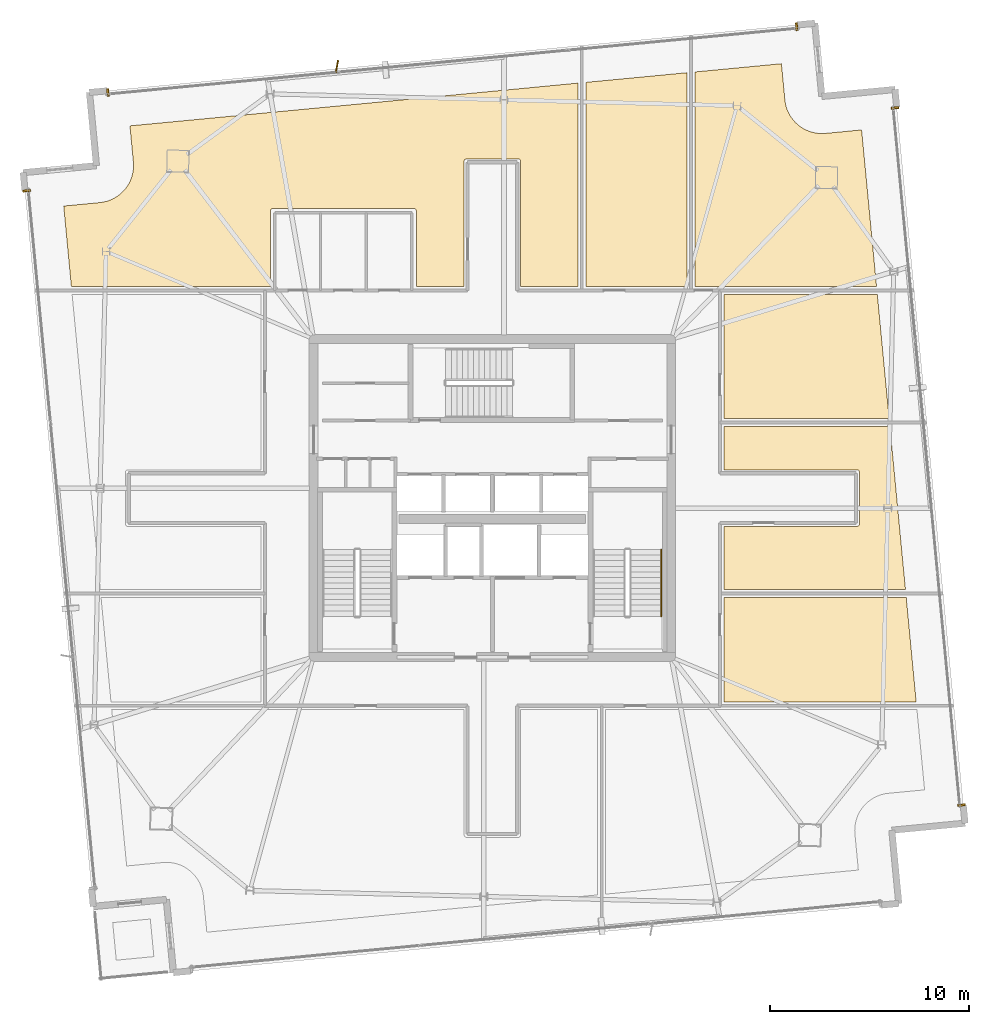
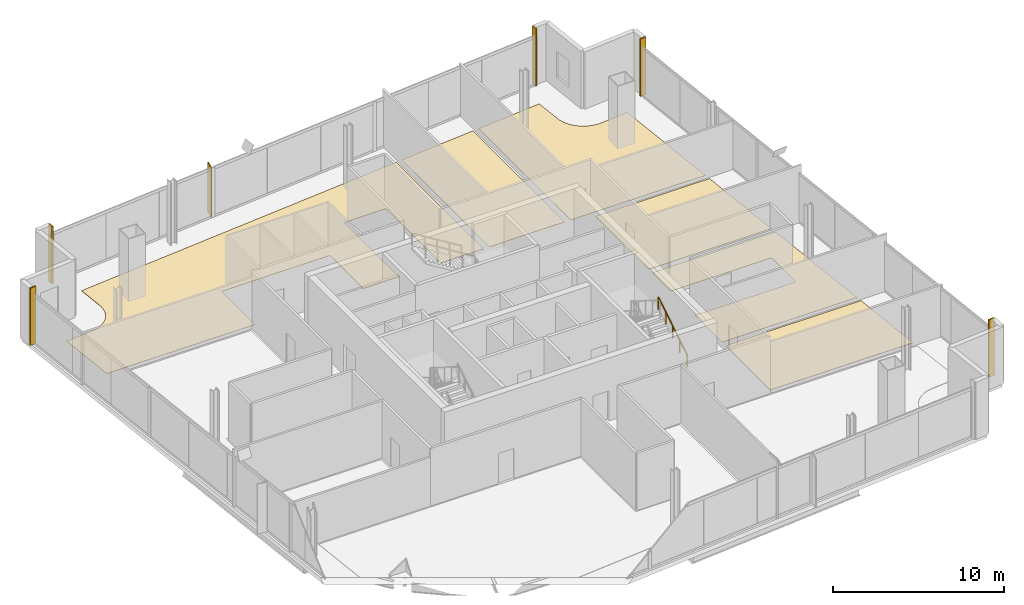
# One storey, part 24 of 24: 11 coverings, 1 railing, 1 shading device.
"""IFC4 building model written with IfcOpenShell, lengths in metres."""

from ifc_helpers import new_model, si_unit, direction, frame, origin, origin_2d, place, context, subcontext, project, spatial, polyline, rectangle, outline, extrude, source, transform, mapped, material, layer, layer_set, type_object, element, save


model = new_model("IFC4")

# Units and contexts
model_context = context("Model", 3, precision=1e-05, world=origin(), true_north=direction((0.0, 1.0)))
body_context = subcontext(model_context, "Body", "Model", "MODEL_VIEW")
ifc_project = project(units=[si_unit("LENGTHUNIT", "METRE"), si_unit("AREAUNIT", "SQUARE_METRE"), si_unit("VOLUMEUNIT", "CUBIC_METRE"), si_unit("PLANEANGLEUNIT", "RADIAN"), si_unit("MASSUNIT", "GRAM", prefix="KILO")], contexts=[model_context])

# Site, building, storey
site_placement = place(None, origin())
site = spatial("IfcSite", under=ifc_project, at=site_placement, CompositionType="ELEMENT")
building_placement = place(site_placement, origin())
building = spatial("IfcBuilding", under=site, at=building_placement, Name="Haldenkirk Collegiate Tower", CompositionType="ELEMENT")
storey_placement = place(building_placement, frame((0.0, 0.0, 347.699951171875)))
storey = spatial("IfcBuildingStorey", under=building, at=storey_placement, Name="L88", CompositionType="ELEMENT", Elevation=347.699951171875)

# Coverings
ifc_material_1 = material(Name="Polished collegiate terrazzo", Category="concrete")
ifc_layer_1 = layer(ifc_material_1, 0.02490234375)
ifc_layer_set_1 = layer_set([ifc_layer_1], Name="Polished collegiate terrazzo")
covering_type_1 = type_object("IfcCoveringType", Name="COV-FLOOR-TERRAZZO", PredefinedType="FLOORING", material=ifc_layer_set_1)
covering_1_placement = place(storey_placement, origin())
element("IfcCovering", 1, at=covering_1_placement, inside=storey, type_object=covering_type_1, Name="L88 academic room finish 04", PredefinedType="FLOORING", context=body_context, shape_type="SweptSolid", body=[
    extrude(outline(polyline([(45.800048828125, 47.40771484375), (45.800048828125, 36.64990234375), (40.699951171875, 36.64990234375), (40.699951171875, 46.9208984375), (45.800048828125, 47.40771484375)])), origin(), (0.0, 0.0, 1.0), 0.025146484375),
])
covering_2_placement = place(storey_placement, origin())
element("IfcCovering", 2, at=covering_2_placement, inside=storey, type_object=covering_type_1, Name="L88 academic room finish 08", PredefinedType="FLOORING", context=body_context, shape_type="SweptSolid", body=[
    extrude(outline(polyline([(57.324951171875, 15.75), (47.64990234375, 15.75), (47.64990234375, 21.0), (56.823974609375, 21.0), (57.324951171875, 15.75)])), origin(), (0.0, 0.0, 1.0), 0.025146484375),
])
covering_3_placement = place(storey_placement, origin())
element("IfcCovering", 3, at=covering_3_placement, inside=storey, type_object=covering_type_1, Name="L88 academic room finish 10", PredefinedType="FLOORING", context=body_context, shape_type="SweptSolid", body=[
    extrude(outline(polyline([(55.96533203125, 30.0), (47.64990234375, 30.0), (47.64990234375, 36.25), (55.369140625, 36.25), (55.96533203125, 30.0)])), origin(), (0.0, 0.0, 1.0), 0.025146484375),
])
ifc_material_2 = material(Name="Engineered collegiate oak acoustic flooring", Category="wood")
ifc_layer_2 = layer(ifc_material_2, 0.02197265625)
ifc_layer_set_2 = layer_set([ifc_layer_2], Name="Engineered collegiate oak acoustic flooring")
covering_type_2 = type_object("IfcCoveringType", Name="COV-FLOOR-TIMBER", PredefinedType="FLOORING", material=ifc_layer_set_2)
covering_4_placement = place(storey_placement, origin())
element("IfcCovering", 4, at=covering_4_placement, inside=storey, type_object=covering_type_2, Name="L88 academic room finish 03", PredefinedType="FLOORING", context=body_context, shape_type="SweptSolid", body=[
    extrude(outline(polyline([(16.248291015625, 40.87109375), (16.254150390625, 40.871826171875), (16.42431640625, 40.896484375), (16.435791015625, 40.89892578125), (16.602294921875, 40.940185546875), (16.61376953125, 40.943603515625), (16.775390625, 41.0009765625), (16.786376953125, 41.00537109375), (16.94189453125, 41.078125), (16.952392578125, 41.083740234375), (17.099853515625, 41.171630859375), (17.109619140625, 41.17822265625), (17.247802734375, 41.280029296875), (17.257080078125, 41.28759765625), (17.384521484375, 41.402587890625), (17.392822265625, 41.41064453125), (17.5087890625, 41.53759765625), (17.516357421875, 41.546630859375), (17.618896484375, 41.684326171875), (17.62548828125, 41.694091796875), (17.714111328125, 41.841064453125), (17.7197265625, 41.8515625), (17.793701171875, 42.006591796875), (17.798095703125, 42.017333984375), (17.856689453125, 42.178955078125), (17.860107421875, 42.190185546875), (17.90234375, 42.356689453125), (17.904541015625, 42.3681640625), (17.930419921875, 42.537841796875), (17.931396484375, 42.549560546875), (17.9404296875, 42.72119140625), (17.940673828125, 42.73291015625), (17.9326171875, 42.904541015625), (17.932373046875, 42.910400390625), (17.758544921875, 44.732177734375), (40.300048828125, 46.8828125), (40.300048828125, 36.64990234375), (37.419921875, 36.64990234375), (37.419921875, 42.949951171875), (37.41943359375, 42.9619140625), (37.417724609375, 42.973388671875), (37.414794921875, 42.98486328125), (37.410888671875, 42.995849609375), (37.40576171875, 43.006591796875), (37.39990234375, 43.0166015625), (37.392822265625, 43.026123046875), (37.385009765625, 43.034912109375), (37.376220703125, 43.042724609375), (37.36669921875, 43.0498046875), (37.356689453125, 43.055908203125), (37.345947265625, 43.060791015625), (37.334716796875, 43.064697265625), (37.323486328125, 43.067626953125), (37.311767578125, 43.0693359375), (37.300048828125, 43.070068359375), (34.699951171875, 43.070068359375), (34.688232421875, 43.0693359375), (34.676513671875, 43.067626953125), (34.665283203125, 43.064697265625), (34.654052734375, 43.060791015625), (34.643310546875, 43.055908203125), (34.63330078125, 43.0498046875), (34.623779296875, 43.042724609375), (34.614990234375, 43.034912109375), (34.607177734375, 43.026123046875), (34.60009765625, 43.0166015625), (34.59423828125, 43.006591796875), (34.589111328125, 42.995849609375), (34.585205078125, 42.98486328125), (34.582275390625, 42.973388671875), (34.58056640625, 42.9619140625), (34.580078125, 42.949951171875), (34.580078125, 36.64990234375), (32.169921875, 36.64990234375), (32.169921875, 40.449951171875), (32.16943359375, 40.4619140625), (32.167724609375, 40.473388671875), (32.164794921875, 40.48486328125), (32.160888671875, 40.495849609375), (32.15576171875, 40.506591796875), (32.14990234375, 40.5166015625), (32.142822265625, 40.526123046875), (32.135009765625, 40.534912109375), (32.126220703125, 40.542724609375), (32.11669921875, 40.5498046875), (32.106689453125, 40.555908203125), (32.095947265625, 40.560791015625), (32.084716796875, 40.564697265625), (32.073486328125, 40.567626953125), (32.061767578125, 40.5693359375), (32.050048828125, 40.570068359375), (24.949951171875, 40.570068359375), (24.938232421875, 40.5693359375), (24.926513671875, 40.567626953125), (24.915283203125, 40.564697265625), (24.904052734375, 40.560791015625), (24.893310546875, 40.555908203125), (24.88330078125, 40.5498046875), (24.873779296875, 40.542724609375), (24.864990234375, 40.534912109375), (24.857177734375, 40.526123046875), (24.85009765625, 40.5166015625), (24.84423828125, 40.506591796875), (24.839111328125, 40.495849609375), (24.835205078125, 40.48486328125), (24.832275390625, 40.473388671875), (24.83056640625, 40.4619140625), (24.830078125, 40.449951171875), (24.830078125, 36.64990234375), (14.812744140625, 36.64990234375), (14.426513671875, 40.697509765625), (16.248291015625, 40.87109375)])), origin(), (0.0, 0.0, 1.0), 0.02197265625),
])
covering_5_placement = place(storey_placement, origin())
element("IfcCovering", 5, at=covering_5_placement, inside=storey, type_object=covering_type_2, Name="L88 academic room finish 05", PredefinedType="FLOORING", context=body_context, shape_type="SweptSolid", body=[
    extrude(outline(polyline([(50.54443359375, 47.860107421875), (50.71826171875, 46.03857421875), (50.718994140625, 46.03271484375), (50.74365234375, 45.862548828125), (50.74609375, 45.85107421875), (50.787109375, 45.684326171875), (50.79052734375, 45.673095703125), (50.847900390625, 45.51123046875), (50.852294921875, 45.50048828125), (50.92529296875, 45.344970703125), (50.930908203125, 45.33447265625), (51.018798828125, 45.18701171875), (51.025390625, 45.177001953125), (51.127197265625, 45.038818359375), (51.134521484375, 45.02978515625), (51.24951171875, 44.902099609375), (51.2578125, 44.893798828125), (51.384765625, 44.778076171875), (51.393798828125, 44.7705078125), (51.531494140625, 44.667724609375), (51.541259765625, 44.661376953125), (51.688232421875, 44.572509765625), (51.698486328125, 44.56689453125), (51.853759765625, 44.4931640625), (51.864501953125, 44.488525390625), (52.02587890625, 44.43017578125), (52.037353515625, 44.4267578125), (52.20361328125, 44.384521484375), (52.215087890625, 44.382080078125), (52.385009765625, 44.3564453125), (52.396728515625, 44.355224609375), (52.568115234375, 44.34619140625), (52.580078125, 44.34619140625), (52.751708984375, 44.35400390625), (52.757568359375, 44.3544921875), (54.5791015625, 44.5283203125), (55.330810546875, 36.64990234375), (46.199951171875, 36.64990234375), (46.199951171875, 47.44580078125), (50.54443359375, 47.860107421875)])), origin(), (0.0, 0.0, 1.0), 0.02197265625),
])
covering_6_placement = place(storey_placement, origin())
element("IfcCovering", 6, at=covering_6_placement, inside=storey, type_object=covering_type_2, Name="L88 academic room finish 09", PredefinedType="FLOORING", context=body_context, shape_type="SweptSolid", body=[
    extrude(outline(polyline([(54.35009765625, 24.580078125), (54.36181640625, 24.58056640625), (54.373291015625, 24.582275390625), (54.384765625, 24.585205078125), (54.39599609375, 24.589111328125), (54.406494140625, 24.59423828125), (54.416748046875, 24.60009765625), (54.426025390625, 24.607177734375), (54.434814453125, 24.614990234375), (54.44287109375, 24.623779296875), (54.44970703125, 24.63330078125), (54.455810546875, 24.643310546875), (54.4609375, 24.654052734375), (54.46484375, 24.665283203125), (54.4677734375, 24.676513671875), (54.469482421875, 24.688232421875), (54.469970703125, 24.699951171875), (54.469970703125, 27.300048828125), (54.469482421875, 27.311767578125), (54.4677734375, 27.323486328125), (54.46484375, 27.334716796875), (54.4609375, 27.345947265625), (54.455810546875, 27.356689453125), (54.44970703125, 27.36669921875), (54.44287109375, 27.376220703125), (54.434814453125, 27.385009765625), (54.426025390625, 27.392822265625), (54.416748046875, 27.39990234375), (54.406494140625, 27.40576171875), (54.39599609375, 27.410888671875), (54.384765625, 27.414794921875), (54.373291015625, 27.417724609375), (54.36181640625, 27.41943359375), (54.35009765625, 27.419921875), (47.64990234375, 27.419921875), (47.64990234375, 29.60009765625), (56.00341796875, 29.60009765625), (56.785888671875, 21.39990234375), (47.64990234375, 21.39990234375), (47.64990234375, 24.580078125), (54.35009765625, 24.580078125)])), origin(), (0.0, 0.0, 1.0), 0.02197265625),
])

# Railing
ifc_material_3 = material(Name="Painted architectural tubular steel", Category="steel")
railing_type = type_object("IfcRailingType", Name="RLG-STAIR-HANDRAIL-900", PredefinedType="HANDRAIL", material=ifc_material_3)
railing_placement = place(storey_placement, frame((44.5, 20.050048828125, 0.173095703125)))
element("IfcRailing", 7, at=railing_placement, inside=storey, type_object=railing_type, Name="L88 ST-2 stair handrail 1", PredefinedType="HANDRAIL", context=body_context, shape_type="SweptSolid", body=[
    extrude(rectangle(XDim=0.048095703125, YDim=0.048095703125, at=origin_2d()), frame((0.0, 0.0, 0.8759765625), z_axis=(0.0, 0.850606129759, 0.525803396734), x_axis=(-1.0, 0.0, 0.0)), (0.0, 0.0, 1.0), 3.949951171875),
    extrude(rectangle(XDim=0.0419921875, YDim=0.0419921875, at=origin_2d()), origin(), (0.0, 0.0, 1.0), 0.851806640625),
    extrude(rectangle(XDim=0.0419921875, YDim=0.0419921875, at=origin_2d()), frame((0.0, 0.83984375, 0.519287109375)), (0.0, 0.0, 1.0), 0.851806640625),
    extrude(rectangle(XDim=0.0419921875, YDim=0.0419921875, at=origin_2d()), frame((0.0, 1.679931640625, 1.03857421875)), (0.0, 0.0, 1.0), 0.851806640625),
    extrude(rectangle(XDim=0.0419921875, YDim=0.0419921875, at=origin_2d()), frame((0.0, 2.52001953125, 1.5576171875)), (0.0, 0.0, 1.0), 0.851806640625),
    extrude(rectangle(XDim=0.0419921875, YDim=0.0419921875, at=origin_2d()), frame((0.0, 3.35986328125, 2.076904296875)), (0.0, 0.0, 1.0), 0.851806640625),
])

# Coverings
ifc_material_4 = material(Name="Anodised architectural bronze aluminium", Category="aluminium")
ifc_layer_3 = layer(ifc_material_4, 0.06005859375)
ifc_layer_set_3 = layer_set([ifc_layer_3], Name="Anodised architectural bronze aluminium")
covering_type_3 = type_object("IfcCoveringType", Name="COV-CLAD-BRONZE-60", PredefinedType="CLADDING", material=ifc_layer_set_3)
shared_shape_1 = source(origin(), body_context, "Body", "SweptSolid", [
    extrude(rectangle(XDim=0.10009765625, YDim=0.3798828125, at=origin_2d()), origin(), (0.0, 0.0, 1.0), 4.10009765625),
])
for number, where, z_axis, x_axis, name in (
    (8, (56.261962890625, 45.63330078125, 0.0), (0.0, 0.0, 1.0), (0.094977069084, -0.995479460536, 0.0), "L88 recessed curtain-wall bronze jamb closure SJL"),
    (9, (59.60888671875, 10.552490234375, 0.0), (0.0, 0.0, 1.0), (0.094977069084, -0.995479460536, 0.0), "L88 recessed curtain-wall bronze jamb closure SJR"),
    (10, (16.653564453125, 46.414794921875, 0.0), (0.0, 0.0, 1.0), (0.995479460536, 0.094977069084, 0.0), "L88 recessed curtain-wall bronze jamb closure EJL"),
    (11, (51.311279296875, 49.721435546875, 0.0), (0.0, 0.0, 1.0), (0.995479460536, 0.094977069084, 0.0), "L88 recessed curtain-wall bronze jamb closure EJR"),
    (12, (12.565185546875, 41.464111328125, 0.0), (0.0, 0.0, 1.0), (-0.094977069084, 0.995479460536, 0.0), "L88 recessed curtain-wall bronze jamb closure NJR"),
):
    element("IfcCovering", number, at=place(storey_placement, frame(where, z_axis=z_axis, x_axis=x_axis)), inside=storey, type_object=covering_type_3, Name=name, PredefinedType="CLADDING", context=body_context, shape_type="MappedRepresentation", body=[
        mapped(shared_shape_1, transform((0.0, 0.0, 0.0), x_axis=(1.0, 0.0, 0.0), y_axis=(0.0, 1.0, 0.0), z_axis=(0.0, 0.0, 1.0), scale=1.0)),
    ])

# Shading device
ifc_layer_4 = layer(ifc_material_4, 0.06494140625)
ifc_layer_set_4 = layer_set([ifc_layer_4], Name="Anodised architectural bronze aluminium")
shading_device_type = type_object("IfcShadingDeviceType", Name="SHD-FIN-BRONZE-620", PredefinedType="USERDEFINED", material=ifc_layer_set_4)
shared_shape_2 = source(origin(), body_context, "Body", "SweptSolid", [
    extrude(rectangle(XDim=0.6201171875, YDim=0.06494140625, at=origin_2d()), origin(), (0.0, 0.0, 1.0), 3.55810546875),
])
shading_device_placement = place(storey_placement, frame((28.1767578125, 47.72021484375, 0.0), z_axis=(0.0, 0.0, 1.0), x_axis=(0.183093507769, 0.983095502692, 0.0)))
element("IfcShadingDevice", 13, at=shading_device_placement, inside=storey, type_object=shading_device_type, Name="L88 folded bronze solar fin 1", ObjectType="FIN", PredefinedType="USERDEFINED", context=body_context, shape_type="MappedRepresentation", body=[
    mapped(shared_shape_2, transform((0.0, 0.0, 0.0), x_axis=(1.0, 0.0, 0.0), y_axis=(0.0, 1.0, 0.0), z_axis=(0.0, 0.0, 1.0), scale=1.0)),
])

save(model, "model.ifc")
